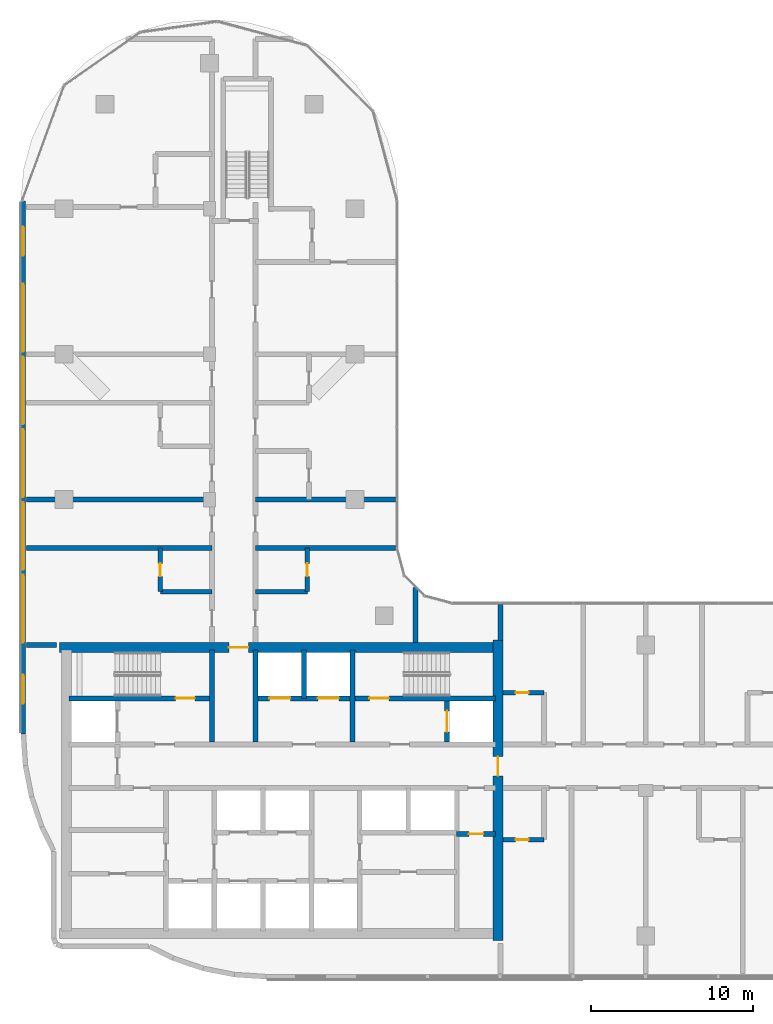
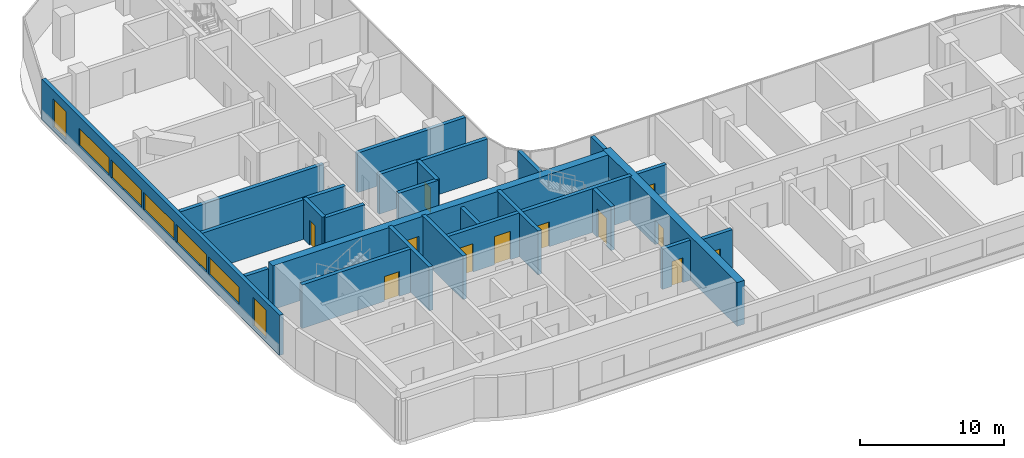
# One storey, part 11 of 23: 24 walls, 12 doors, 7 windows, 19 openings.
"""IFC4 building model written with IfcOpenShell, lengths in metres."""

from ifc_helpers import new_model, si_unit, direction, frame, frame_2d, origin, place, context, subcontext, project, spatial, rectangle, extrude, material, layer, layer_set, type_object, element, fill, save


model = new_model("IFC4")

# Units and contexts
model_context = context("Model", 3, precision=1e-05, world=origin(), true_north=direction((0.0, 1.0)))
body_context = subcontext(model_context, "Body", "Model", "MODEL_VIEW")
ifc_project = project(units=[si_unit("LENGTHUNIT", "METRE"), si_unit("AREAUNIT", "SQUARE_METRE"), si_unit("VOLUMEUNIT", "CUBIC_METRE"), si_unit("PLANEANGLEUNIT", "RADIAN"), si_unit("MASSUNIT", "GRAM", prefix="KILO")], contexts=[model_context])

# Site, building, storey
site_placement = place(None, origin())
site = spatial("IfcSite", under=ifc_project, at=site_placement, CompositionType="ELEMENT")
building_placement = place(site_placement, origin())
building = spatial("IfcBuilding", under=site, at=building_placement, Name="Ogive Portal Towers", CompositionType="ELEMENT")
storey_placement = place(building_placement, frame((0.0, 0.0, 186.60009765625)))
storey = spatial("IfcBuildingStorey", under=building, at=storey_placement, Name="L46", CompositionType="ELEMENT", Elevation=186.60009765625)

# Wall, opening, door
ifc_material_1 = material(Name="Concrete C60/75", Category="concrete")
ifc_layer_1 = layer(ifc_material_1, 0.300048828125)
ifc_layer_set_1 = layer_set([ifc_layer_1], Name="CORE WALL 300 C60")
wall_type_1 = type_object("IfcWallType", Name="CORE WALL 300 C60", PredefinedType="SHEAR", material=ifc_layer_set_1)
wall_1_placement = place(storey_placement, frame((31.800048828125, 36.199951171875, 0.0), z_axis=(0.0, 0.0, 1.0), x_axis=(1.0, 0.0, 0.0)))
wall_1 = element("IfcWall", 1, at=wall_1_placement, inside=storey, type_object=wall_type_1, Name="Core wall Y3a L46", PredefinedType="SHEAR", context=body_context, shape_type="SweptSolid", body=[
    extrude(rectangle(XDim=8.699951171875, YDim=0.300048828125, at=frame_2d((4.35009765625, 0.0))), origin(), (0.0, 0.0, 1.0), 3.699951171875),
])
opening_1_placement = place(wall_1_placement, frame((6.60009765625, 0.0, 0.0)))
opening_1 = element("IfcOpeningElement", 2, at=opening_1_placement, cuts=wall_1, Name="Opening D20-005", PredefinedType="OPENING", context=body_context, shape_type="SweptSolid", body=[
    extrude(rectangle(XDim=1.199951171875, YDim=2.10009765625, at=frame_2d((0.60009765625, 1.050048828125))), frame((0.0, 0.16015625, 0.0), z_axis=(0.0, -1.0, 0.0), x_axis=(1.0, 0.0, 0.0)), (0.0, 0.0, 1.0), 0.320068359375),
])
ifc_material_2 = material(Name="Steel fire door", Category="steel")
door_type_1 = type_object("IfcDoorType", Name="DT-SWING-1200x2100-FD90S", OperationType="SINGLE_SWING_LEFT", PredefinedType="DOOR", material=ifc_material_2)
door_1_placement = place(opening_1_placement, origin())
door_1 = element("IfcDoor", 3, at=door_1_placement, inside=storey, type_object=door_type_1, Name="Door D20-005", OperationType="SINGLE_SWING_RIGHT", OverallHeight=2.10009765625, OverallWidth=1.199951171875, PredefinedType="DOOR", context=body_context, shape_type="SweptSolid", body=[
    extrude(rectangle(XDim=1.199951171875, YDim=2.10009765625, at=frame_2d((0.60009765625, 1.050048828125))), frame((0.0, 0.02490234375, 0.0), z_axis=(0.0, -1.0, 0.0), x_axis=(1.0, 0.0, 0.0)), (0.0, 0.0, 1.0), 0.050048828125),
])
fill(opening_1, door_1)

# Wall, openings, doors
wall_2_placement = place(storey_placement, frame((43.5, 36.199951171875, 0.0), z_axis=(0.0, 0.0, 1.0), x_axis=(1.0, 0.0, 0.0)))
wall_2 = element("IfcWall", 4, at=wall_2_placement, inside=storey, type_object=wall_type_1, Name="Core wall Y3b L46", PredefinedType="SHEAR", context=body_context, shape_type="SweptSolid", body=[
    extrude(rectangle(XDim=14.699951171875, YDim=0.300048828125, at=frame_2d((7.35009765625, 0.0))), origin(), (0.0, 0.0, 1.0), 3.699951171875),
])
opening_2_placement = place(wall_2_placement, frame((6.89990234375, 0.0, 0.0)))
opening_2 = element("IfcOpeningElement", 5, at=opening_2_placement, cuts=wall_2, Name="Opening D20-006", PredefinedType="OPENING", context=body_context, shape_type="SweptSolid", body=[
    extrude(rectangle(XDim=1.199951171875, YDim=2.10009765625, at=frame_2d((0.60009765625, 1.050048828125))), frame((0.0, 0.16015625, 0.0), z_axis=(0.0, -1.0, 0.0), x_axis=(1.0, 0.0, 0.0)), (0.0, 0.0, 1.0), 0.320068359375),
])
opening_3_placement = place(wall_2_placement, frame((0.699951171875, 0.0, 0.0)))
opening_3 = element("IfcOpeningElement", 6, at=opening_3_placement, cuts=wall_2, Name="Opening D20-017", PredefinedType="OPENING", context=body_context, shape_type="SweptSolid", body=[
    extrude(rectangle(XDim=1.300048828125, YDim=2.39990234375, at=frame_2d((0.64990234375, 1.199951171875))), frame((0.0, 0.16015625, 0.0), z_axis=(0.0, -1.0, 0.0), x_axis=(1.0, 0.0, 0.0)), (0.0, 0.0, 1.0), 0.320068359375),
])
opening_4_placement = place(wall_2_placement, frame((3.699951171875, 0.0, 0.0)))
opening_4 = element("IfcOpeningElement", 7, at=opening_4_placement, cuts=wall_2, Name="Opening D20-018", PredefinedType="OPENING", context=body_context, shape_type="SweptSolid", body=[
    extrude(rectangle(XDim=1.300048828125, YDim=2.39990234375, at=frame_2d((0.64990234375, 1.199951171875))), frame((0.0, 0.16015625, 0.0), z_axis=(0.0, -1.0, 0.0), x_axis=(1.0, 0.0, 0.0)), (0.0, 0.0, 1.0), 0.320068359375),
])
ifc_material_3 = material(Name="Stainless steel", Category="steel")
door_type_2 = type_object("IfcDoorType", Name="DT-LD-1300x2400", OperationType="SLIDING_TO_LEFT", PredefinedType="DOOR", material=ifc_material_3)
door_2_placement = place(opening_3_placement, origin())
door_2 = element("IfcDoor", 8, at=door_2_placement, inside=storey, type_object=door_type_2, Name="Door D20-017", OperationType="SLIDING_TO_LEFT", OverallHeight=2.39990234375, OverallWidth=1.300048828125, PredefinedType="DOOR", context=body_context, shape_type="SweptSolid", body=[
    extrude(rectangle(XDim=1.300048828125, YDim=2.39990234375, at=frame_2d((0.64990234375, 1.199951171875))), frame((0.0, 0.02490234375, 0.0), z_axis=(0.0, -1.0, 0.0), x_axis=(1.0, 0.0, 0.0)), (0.0, 0.0, 1.0), 0.050048828125),
])
fill(opening_3, door_2)
door_3_placement = place(opening_4_placement, origin())
door_3 = element("IfcDoor", 9, at=door_3_placement, inside=storey, type_object=door_type_2, Name="Door D20-018", OperationType="SLIDING_TO_LEFT", OverallHeight=2.39990234375, OverallWidth=1.300048828125, PredefinedType="DOOR", context=body_context, shape_type="SweptSolid", body=[
    extrude(rectangle(XDim=1.300048828125, YDim=2.39990234375, at=frame_2d((0.64990234375, 1.199951171875))), frame((0.0, 0.02490234375, 0.0), z_axis=(0.0, -1.0, 0.0), x_axis=(1.0, 0.0, 0.0)), (0.0, 0.0, 1.0), 0.050048828125),
])
fill(opening_4, door_3)
door_4_placement = place(opening_2_placement, origin())
door_4 = element("IfcDoor", 10, at=door_4_placement, inside=storey, type_object=door_type_1, Name="Door D20-006", OperationType="SINGLE_SWING_LEFT", OverallHeight=2.10009765625, OverallWidth=1.199951171875, PredefinedType="DOOR", context=body_context, shape_type="SweptSolid", body=[
    extrude(rectangle(XDim=1.199951171875, YDim=2.10009765625, at=frame_2d((0.60009765625, 1.050048828125))), frame((0.0, 0.02490234375, 0.0), z_axis=(0.0, -1.0, 0.0), x_axis=(1.0, 0.0, 0.0)), (0.0, 0.0, 1.0), 0.050048828125),
])
fill(opening_2, door_4)

# Walls
for number, where, z_axis, x_axis, name in (
    (11, (40.64990234375, 33.5, 0.0), (0.0, 0.0, 1.0), (0.0, 1.0, 0.0), "Core wall X6 L46"),
    (12, (43.35009765625, 33.5, 0.0), (0.0, 0.0, 1.0), (0.0, 1.0, 0.0), "Core wall X7 L46"),
    (13, (49.35009765625, 33.5, 0.0), (0.0, 0.0, 1.0), (0.0, 1.0, 0.0), "Core wall X9 L46"),
):
    element("IfcWall", number, at=place(storey_placement, frame(where, z_axis=z_axis, x_axis=x_axis)), inside=storey, type_object=wall_type_1, Name=name, PredefinedType="SHEAR", context=body_context, shape_type="SweptSolid", body=[
        extrude(rectangle(XDim=5.699951171875, YDim=0.300048828125, at=frame_2d((2.85009765625, 0.0))), origin(), (0.0, 0.0, 1.0), 3.699951171875),
    ])

# Wall, opening, door
wall_3_placement = place(storey_placement, frame((55.199951171875, 33.5, 0.0), z_axis=(0.0, 0.0, 1.0), x_axis=(0.0, 1.0, 0.0)))
wall_3 = element("IfcWall", 14, at=wall_3_placement, inside=storey, type_object=wall_type_1, Name="Core wall X10 L46", PredefinedType="SHEAR", context=body_context, shape_type="SweptSolid", body=[
    extrude(rectangle(XDim=2.550048828125, YDim=0.300048828125, at=frame_2d((1.27490234375, 0.0))), origin(), (0.0, 0.0, 1.0), 3.699951171875),
])
opening_5_placement = place(wall_3_placement, frame((0.625, 0.0, 0.0)))
opening_5 = element("IfcOpeningElement", 15, at=opening_5_placement, cuts=wall_3, Name="Opening D20-020", PredefinedType="OPENING", context=body_context, shape_type="SweptSolid", body=[
    extrude(rectangle(XDim=1.300048828125, YDim=2.39990234375, at=frame_2d((0.64990234375, 1.199951171875))), frame((0.0, 0.16015625, 0.0), z_axis=(0.0, -1.0, 0.0), x_axis=(1.0, 0.0, 0.0)), (0.0, 0.0, 1.0), 0.320068359375),
])
door_5_placement = place(opening_5_placement, origin())
door_5 = element("IfcDoor", 16, at=door_5_placement, inside=storey, type_object=door_type_2, Name="Door D20-020", OperationType="SLIDING_TO_LEFT", OverallHeight=2.39990234375, OverallWidth=1.300048828125, PredefinedType="DOOR", context=body_context, shape_type="SweptSolid", body=[
    extrude(rectangle(XDim=1.300048828125, YDim=2.39990234375, at=frame_2d((0.64990234375, 1.199951171875))), frame((0.0, 0.02490234375, 0.0), z_axis=(0.0, -1.0, 0.0), x_axis=(1.0, 0.0, 0.0)), (0.0, 0.0, 1.0), 0.050048828125),
])
fill(opening_5, door_5)

ifc_layer_2 = layer(ifc_material_1, 0.60009765625)
ifc_layer_set_2 = layer_set([ifc_layer_2], Name="CORE WALL 600 C60")
wall_type_2 = type_object("IfcWallType", Name="CORE WALL 600 C60", PredefinedType="SHEAR", material=ifc_layer_set_2)
wall_4_placement = place(storey_placement, frame((58.35009765625, 21.199951171875, 0.0), z_axis=(0.0, 0.0, 1.0), x_axis=(0.0, 1.0, 0.0)))
wall_4 = element("IfcWall", 17, at=wall_4_placement, inside=storey, type_object=wall_type_2, Name="Core wall E L46", PredefinedType="SHEAR", context=body_context, shape_type="SweptSolid", body=[
    extrude(rectangle(XDim=18.60009765625, YDim=0.60009765625, at=frame_2d((9.300048828125, 0.0))), origin(), (0.0, 0.0, 1.0), 3.699951171875),
])
opening_6_placement = place(wall_4_placement, frame((10.199951171875, 0.0, 0.0)))
opening_6 = element("IfcOpeningElement", 18, at=opening_6_placement, cuts=wall_4, Name="Opening D20-011", PredefinedType="OPENING", context=body_context, shape_type="SweptSolid", body=[
    extrude(rectangle(XDim=1.199951171875, YDim=2.10009765625, at=frame_2d((0.60009765625, 1.050048828125))), frame((0.0, 0.31005859375, 0.0), z_axis=(0.0, -1.0, 0.0), x_axis=(1.0, 0.0, 0.0)), (0.0, 0.0, 1.0), 0.6201171875),
])
door_6_placement = place(opening_6_placement, origin())
door_6 = element("IfcDoor", 19, at=door_6_placement, inside=storey, type_object=door_type_1, Name="Door D20-011", OperationType="SINGLE_SWING_LEFT", OverallHeight=2.10009765625, OverallWidth=1.199951171875, PredefinedType="DOOR", context=body_context, shape_type="SweptSolid", body=[
    extrude(rectangle(XDim=1.199951171875, YDim=2.10009765625, at=frame_2d((0.60009765625, 1.050048828125))), frame((0.0, 0.02490234375, 0.0), z_axis=(0.0, -1.0, 0.0), x_axis=(1.0, 0.0, 0.0)), (0.0, 0.0, 1.0), 0.050048828125),
])
fill(opening_6, door_6)

wall_5_placement = place(storey_placement, frame((31.199951171875, 39.35009765625, 0.0), z_axis=(0.0, 0.0, 1.0), x_axis=(1.0, 0.0, 0.0)))
wall_5 = element("IfcWall", 20, at=wall_5_placement, inside=storey, type_object=wall_type_2, Name="Core wall N L46", PredefinedType="SHEAR", context=body_context, shape_type="SweptSolid", body=[
    extrude(rectangle(XDim=27.0, YDim=0.60009765625, at=frame_2d((13.5, 0.0))), origin(), (0.0, 0.0, 1.0), 3.699951171875),
])
opening_7_placement = place(wall_5_placement, frame((10.5, 0.0, 0.0)))
opening_7 = element("IfcOpeningElement", 21, at=opening_7_placement, cuts=wall_5, Name="Opening D20-012", PredefinedType="OPENING", context=body_context, shape_type="SweptSolid", body=[
    extrude(rectangle(XDim=1.199951171875, YDim=2.10009765625, at=frame_2d((0.60009765625, 1.050048828125))), frame((0.0, 0.31005859375, 0.0), z_axis=(0.0, -1.0, 0.0), x_axis=(1.0, 0.0, 0.0)), (0.0, 0.0, 1.0), 0.6201171875),
])
door_7_placement = place(opening_7_placement, origin())
door_7 = element("IfcDoor", 22, at=door_7_placement, inside=storey, type_object=door_type_1, Name="Door D20-012", OperationType="SINGLE_SWING_RIGHT", OverallHeight=2.10009765625, OverallWidth=1.199951171875, PredefinedType="DOOR", context=body_context, shape_type="SweptSolid", body=[
    extrude(rectangle(XDim=1.199951171875, YDim=2.10009765625, at=frame_2d((0.60009765625, 1.050048828125))), frame((0.0, 0.02490234375, 0.0), z_axis=(0.0, -1.0, 0.0), x_axis=(1.0, 0.0, 0.0)), (0.0, 0.0, 1.0), 0.050048828125),
])
fill(opening_7, door_7)

# Wall, openings, windows
ifc_material_4 = material(Name="Limestone cladding on lightweight block wall", Category="masonry")
ifc_layer_3 = layer(ifc_material_4, 0.300048828125)
ifc_layer_set_3 = layer_set([ifc_layer_3], Name="EXTERNAL WALL 300 STONE")
wall_type_3 = type_object("IfcWallType", Name="EXTERNAL WALL 300 STONE", PredefinedType="SOLIDWALL", material=ifc_layer_set_3)
wall_6_placement = place(storey_placement, frame((28.969970703125, 66.98583984375, 0.0), z_axis=(0.0, 0.0, 1.0), x_axis=(0.0, -1.0, 0.0)))
wall_6 = element("IfcWall", 23, at=wall_6_placement, inside=storey, type_object=wall_type_3, Name="A:L46:f27:r0:wall", PredefinedType="SOLIDWALL", context=body_context, shape_type="SweptSolid", body=[
    extrude(rectangle(XDim=32.97607421875, YDim=0.300048828125, at=frame_2d((16.488037109375, 0.0))), origin(), (0.0, 0.0, 1.0), 3.39990234375),
])
opening_8_placement = place(wall_6_placement, frame((1.593017578125, 0.0, 0.300048828125)))
opening_8 = element("IfcOpeningElement", 24, at=opening_8_placement, cuts=wall_6, Name="Opening WN10", PredefinedType="OPENING", context=body_context, shape_type="SweptSolid", body=[
    extrude(rectangle(XDim=1.800048828125, YDim=2.39990234375, at=frame_2d((0.89990234375, 1.199951171875))), frame((0.0, 0.16015625, 0.0), z_axis=(0.0, -1.0, 0.0), x_axis=(1.0, 0.0, 0.0)), (0.0, 0.0, 1.0), 0.320068359375),
])
opening_9_placement = place(wall_6_placement, frame((5.135986328125, 0.0, 0.89990234375)))
opening_9 = element("IfcOpeningElement", 25, at=opening_9_placement, cuts=wall_6, Name="Opening WN11", PredefinedType="OPENING", context=body_context, shape_type="SweptSolid", body=[
    extrude(rectangle(XDim=4.199951171875, YDim=1.5, at=frame_2d((2.10009765625, 0.75))), frame((0.0, 0.16015625, 0.0), z_axis=(0.0, -1.0, 0.0), x_axis=(1.0, 0.0, 0.0)), (0.0, 0.0, 1.0), 0.320068359375),
])
opening_10_placement = place(wall_6_placement, frame((9.635986328125, 0.0, 0.89990234375)))
opening_10 = element("IfcOpeningElement", 26, at=opening_10_placement, cuts=wall_6, Name="Opening WN11", PredefinedType="OPENING", context=body_context, shape_type="SweptSolid", body=[
    extrude(rectangle(XDim=4.199951171875, YDim=1.5, at=frame_2d((2.10009765625, 0.75))), frame((0.0, 0.16015625, 0.0), z_axis=(0.0, -1.0, 0.0), x_axis=(1.0, 0.0, 0.0)), (0.0, 0.0, 1.0), 0.320068359375),
])
opening_11_placement = place(wall_6_placement, frame((14.135986328125, 0.0, 0.89990234375)))
opening_11 = element("IfcOpeningElement", 27, at=opening_11_placement, cuts=wall_6, Name="Opening WN11", PredefinedType="OPENING", context=body_context, shape_type="SweptSolid", body=[
    extrude(rectangle(XDim=4.199951171875, YDim=1.5, at=frame_2d((2.10009765625, 0.75))), frame((0.0, 0.16015625, 0.0), z_axis=(0.0, -1.0, 0.0), x_axis=(1.0, 0.0, 0.0)), (0.0, 0.0, 1.0), 0.320068359375),
])
opening_12_placement = place(wall_6_placement, frame((18.635986328125, 0.0, 0.89990234375)))
opening_12 = element("IfcOpeningElement", 28, at=opening_12_placement, cuts=wall_6, Name="Opening WN11", PredefinedType="OPENING", context=body_context, shape_type="SweptSolid", body=[
    extrude(rectangle(XDim=4.199951171875, YDim=1.5, at=frame_2d((2.10009765625, 0.75))), frame((0.0, 0.16015625, 0.0), z_axis=(0.0, -1.0, 0.0), x_axis=(1.0, 0.0, 0.0)), (0.0, 0.0, 1.0), 0.320068359375),
])
opening_13_placement = place(wall_6_placement, frame((23.135986328125, 0.0, 0.89990234375)))
opening_13 = element("IfcOpeningElement", 29, at=opening_13_placement, cuts=wall_6, Name="Opening WN11", PredefinedType="OPENING", context=body_context, shape_type="SweptSolid", body=[
    extrude(rectangle(XDim=4.199951171875, YDim=1.5, at=frame_2d((2.10009765625, 0.75))), frame((0.0, 0.16015625, 0.0), z_axis=(0.0, -1.0, 0.0), x_axis=(1.0, 0.0, 0.0)), (0.0, 0.0, 1.0), 0.320068359375),
])
opening_14_placement = place(wall_6_placement, frame((29.3310546875, 0.0, 0.300048828125)))
opening_14 = element("IfcOpeningElement", 30, at=opening_14_placement, cuts=wall_6, Name="Opening WN10", PredefinedType="OPENING", context=body_context, shape_type="SweptSolid", body=[
    extrude(rectangle(XDim=1.800048828125, YDim=2.39990234375, at=frame_2d((0.89990234375, 1.199951171875))), frame((0.0, 0.16015625, 0.0), z_axis=(0.0, -1.0, 0.0), x_axis=(1.0, 0.0, 0.0)), (0.0, 0.0, 1.0), 0.320068359375),
])
ifc_material_5 = material(Name="Glass, clear low-iron insulated glazing", Category="glass")
window_type_1 = type_object("IfcWindowType", Name="WINDOW RIBBON 4200x1500", PartitioningType="TRIPLE_PANEL_VERTICAL", PredefinedType="WINDOW", material=ifc_material_5)
window_1_placement = place(opening_9_placement, origin())
window_1 = element("IfcWindow", 31, at=window_1_placement, inside=storey, type_object=window_type_1, Name="A:L46:f27:r0:w1", OverallHeight=1.5, OverallWidth=4.199951171875, PartitioningType="SINGLE_PANEL", PredefinedType="WINDOW", context=body_context, shape_type="SweptSolid", body=[
    extrude(rectangle(XDim=4.199951171875, YDim=1.5, at=frame_2d((2.10009765625, 0.75))), frame((0.0, 0.030029296875, 0.0), z_axis=(0.0, -1.0, 0.0), x_axis=(1.0, 0.0, 0.0)), (0.0, 0.0, 1.0), 0.06005859375),
])
fill(opening_9, window_1)
window_2_placement = place(opening_10_placement, origin())
window_2 = element("IfcWindow", 32, at=window_2_placement, inside=storey, type_object=window_type_1, Name="A:L46:f27:r0:w2", OverallHeight=1.5, OverallWidth=4.199951171875, PartitioningType="SINGLE_PANEL", PredefinedType="WINDOW", context=body_context, shape_type="SweptSolid", body=[
    extrude(rectangle(XDim=4.199951171875, YDim=1.5, at=frame_2d((2.10009765625, 0.75))), frame((0.0, 0.030029296875, 0.0), z_axis=(0.0, -1.0, 0.0), x_axis=(1.0, 0.0, 0.0)), (0.0, 0.0, 1.0), 0.06005859375),
])
fill(opening_10, window_2)
window_3_placement = place(opening_11_placement, origin())
window_3 = element("IfcWindow", 33, at=window_3_placement, inside=storey, type_object=window_type_1, Name="A:L46:f27:r0:w3", OverallHeight=1.5, OverallWidth=4.199951171875, PartitioningType="SINGLE_PANEL", PredefinedType="WINDOW", context=body_context, shape_type="SweptSolid", body=[
    extrude(rectangle(XDim=4.199951171875, YDim=1.5, at=frame_2d((2.10009765625, 0.75))), frame((0.0, 0.030029296875, 0.0), z_axis=(0.0, -1.0, 0.0), x_axis=(1.0, 0.0, 0.0)), (0.0, 0.0, 1.0), 0.06005859375),
])
fill(opening_11, window_3)
window_4_placement = place(opening_12_placement, origin())
window_4 = element("IfcWindow", 34, at=window_4_placement, inside=storey, type_object=window_type_1, Name="A:L46:f27:r0:w4", OverallHeight=1.5, OverallWidth=4.199951171875, PartitioningType="SINGLE_PANEL", PredefinedType="WINDOW", context=body_context, shape_type="SweptSolid", body=[
    extrude(rectangle(XDim=4.199951171875, YDim=1.5, at=frame_2d((2.10009765625, 0.75))), frame((0.0, 0.030029296875, 0.0), z_axis=(0.0, -1.0, 0.0), x_axis=(1.0, 0.0, 0.0)), (0.0, 0.0, 1.0), 0.06005859375),
])
fill(opening_12, window_4)
window_5_placement = place(opening_13_placement, origin())
window_5 = element("IfcWindow", 35, at=window_5_placement, inside=storey, type_object=window_type_1, Name="A:L46:f27:r0:w5", OverallHeight=1.5, OverallWidth=4.199951171875, PartitioningType="SINGLE_PANEL", PredefinedType="WINDOW", context=body_context, shape_type="SweptSolid", body=[
    extrude(rectangle(XDim=4.199951171875, YDim=1.5, at=frame_2d((2.10009765625, 0.75))), frame((0.0, 0.030029296875, 0.0), z_axis=(0.0, -1.0, 0.0), x_axis=(1.0, 0.0, 0.0)), (0.0, 0.0, 1.0), 0.06005859375),
])
fill(opening_13, window_5)
window_type_2 = type_object("IfcWindowType", Name="WINDOW SUITE CORNER 1800x2400", PartitioningType="DOUBLE_PANEL_VERTICAL", PredefinedType="WINDOW", material=ifc_material_5)
window_6_placement = place(opening_8_placement, origin())
window_6 = element("IfcWindow", 36, at=window_6_placement, inside=storey, type_object=window_type_2, Name="A:L46:f27:r0:w0", OverallHeight=2.39990234375, OverallWidth=1.800048828125, PartitioningType="SINGLE_PANEL", PredefinedType="WINDOW", context=body_context, shape_type="SweptSolid", body=[
    extrude(rectangle(XDim=1.800048828125, YDim=2.39990234375, at=frame_2d((0.89990234375, 1.199951171875))), frame((0.0, 0.030029296875, 0.0), z_axis=(0.0, -1.0, 0.0), x_axis=(1.0, 0.0, 0.0)), (0.0, 0.0, 1.0), 0.06005859375),
])
fill(opening_8, window_6)
window_7_placement = place(opening_14_placement, origin())
window_7 = element("IfcWindow", 37, at=window_7_placement, inside=storey, type_object=window_type_2, Name="A:L46:f27:r0:w6", OverallHeight=2.39990234375, OverallWidth=1.800048828125, PartitioningType="SINGLE_PANEL", PredefinedType="WINDOW", context=body_context, shape_type="SweptSolid", body=[
    extrude(rectangle(XDim=1.800048828125, YDim=2.39990234375, at=frame_2d((0.89990234375, 1.199951171875))), frame((0.0, 0.030029296875, 0.0), z_axis=(0.0, -1.0, 0.0), x_axis=(1.0, 0.0, 0.0)), (0.0, 0.0, 1.0), 0.06005859375),
])
fill(opening_14, window_7)

# Wall, opening, door
ifc_material_6 = material(Name="Gypsum board partition on steel studs", Category="steel")
ifc_layer_4 = layer(ifc_material_6, 0.300048828125)
ifc_layer_set_4 = layer_set([ifc_layer_4], Name="WT-PART-300")
wall_type_4 = type_object("IfcWallType", Name="WT-PART-300", PredefinedType="PARTITIONING", material=ifc_layer_set_4)
wall_7_placement = place(storey_placement, frame((55.800048828125, 27.800048828125, 0.0), z_axis=(0.0, 0.0, 1.0), x_axis=(1.0, 0.0, 0.0)))
wall_7 = element("IfcWall", 38, at=wall_7_placement, inside=storey, type_object=wall_type_4, Name="Wall pw:004:L46", PredefinedType="PARTITIONING", context=body_context, shape_type="SweptSolid", body=[
    extrude(rectangle(XDim=2.39990234375, YDim=0.300048828125, at=frame_2d((1.199951171875, 0.0))), origin(), (0.0, 0.0, 1.0), 3.39990234375),
])
opening_15_placement = place(wall_7_placement, frame((0.75, 0.0, 0.0)))
opening_15 = element("IfcOpeningElement", 39, at=opening_15_placement, cuts=wall_7, Name="Opening D20-010", PredefinedType="OPENING", context=body_context, shape_type="SweptSolid", body=[
    extrude(rectangle(XDim=0.89990234375, YDim=2.10009765625, at=frame_2d((0.449951171875, 1.050048828125))), frame((0.0, 0.16015625, 0.0), z_axis=(0.0, -1.0, 0.0), x_axis=(1.0, 0.0, 0.0)), (0.0, 0.0, 1.0), 0.320068359375),
])
door_type_3 = type_object("IfcDoorType", Name="DT-SWING-900x2100-FD60S", OperationType="SINGLE_SWING_LEFT", PredefinedType="DOOR", material=ifc_material_2)
door_8_placement = place(opening_15_placement, origin())
door_8 = element("IfcDoor", 40, at=door_8_placement, inside=storey, type_object=door_type_3, Name="Door D20-010", OperationType="SINGLE_SWING_RIGHT", OverallHeight=2.10009765625, OverallWidth=0.89990234375, PredefinedType="DOOR", context=body_context, shape_type="SweptSolid", body=[
    extrude(rectangle(XDim=0.89990234375, YDim=2.10009765625, at=frame_2d((0.449951171875, 1.050048828125))), frame((0.0, 0.02490234375, 0.0), z_axis=(0.0, -1.0, 0.0), x_axis=(1.0, 0.0, 0.0)), (0.0, 0.0, 1.0), 0.050048828125),
])
fill(opening_15, door_8)

ifc_layer_5 = layer(ifc_material_6, 0.300048828125)
ifc_layer_set_5 = layer_set([ifc_layer_5], Name="WT-PART-300-EI 60")
wall_type_5 = type_object("IfcWallType", Name="WT-PART-300-EI 60", PredefinedType="PARTITIONING", material=ifc_layer_set_5)
wall_8_placement = place(storey_placement, frame((58.64990234375, 27.449951171875, 0.0), z_axis=(0.0, 0.0, 1.0), x_axis=(1.0, 0.0, 0.0)))
wall_8 = element("IfcWall", 41, at=wall_8_placement, inside=storey, type_object=wall_type_5, Name="Wall L46:w003", PredefinedType="PARTITIONING", context=body_context, shape_type="SweptSolid", body=[
    extrude(rectangle(XDim=2.550048828125, YDim=0.300048828125, at=frame_2d((1.27490234375, 0.0))), origin(), (0.0, 0.0, 1.0), 3.39990234375),
])
opening_16_placement = place(wall_8_placement, frame((0.800048828125, 0.0, 0.0)))
opening_16 = element("IfcOpeningElement", 42, at=opening_16_placement, cuts=wall_8, Name="Opening D20-030", PredefinedType="OPENING", context=body_context, shape_type="SweptSolid", body=[
    extrude(rectangle(XDim=0.800048828125, YDim=2.10009765625, at=frame_2d((0.39990234375, 1.050048828125))), frame((0.0, 0.16015625, 0.0), z_axis=(0.0, -1.0, 0.0), x_axis=(1.0, 0.0, 0.0)), (0.0, 0.0, 1.0), 0.320068359375),
])
door_type_4 = type_object("IfcDoorType", Name="DT-BATH-800x2100-FD60S", OperationType="SINGLE_SWING_LEFT", PredefinedType="DOOR", material=ifc_material_2)
door_9_placement = place(opening_16_placement, origin())
door_9 = element("IfcDoor", 43, at=door_9_placement, inside=storey, type_object=door_type_4, Name="Door D20-030", OperationType="SINGLE_SWING_LEFT", OverallHeight=2.10009765625, OverallWidth=0.800048828125, PredefinedType="DOOR", context=body_context, shape_type="SweptSolid", body=[
    extrude(rectangle(XDim=0.800048828125, YDim=2.10009765625, at=frame_2d((0.39990234375, 1.050048828125))), frame((0.0, 0.02490234375, 0.0), z_axis=(0.0, -1.0, 0.0), x_axis=(1.0, 0.0, 0.0)), (0.0, 0.0, 1.0), 0.050048828125),
])
fill(opening_16, door_9)

wall_9_placement = place(storey_placement, frame((58.64990234375, 36.550048828125, 0.0), z_axis=(0.0, 0.0, 1.0), x_axis=(1.0, 0.0, 0.0)))
wall_9 = element("IfcWall", 44, at=wall_9_placement, inside=storey, type_object=wall_type_5, Name="Wall L46:w009", PredefinedType="PARTITIONING", context=body_context, shape_type="SweptSolid", body=[
    extrude(rectangle(XDim=2.550048828125, YDim=0.300048828125, at=frame_2d((1.27490234375, 0.0))), origin(), (0.0, 0.0, 1.0), 3.39990234375),
])
opening_17_placement = place(wall_9_placement, frame((0.800048828125, 0.0, 0.0)))
opening_17 = element("IfcOpeningElement", 45, at=opening_17_placement, cuts=wall_9, Name="Opening D20-027", PredefinedType="OPENING", context=body_context, shape_type="SweptSolid", body=[
    extrude(rectangle(XDim=0.800048828125, YDim=2.10009765625, at=frame_2d((0.39990234375, 1.050048828125))), frame((0.0, 0.16015625, 0.0), z_axis=(0.0, -1.0, 0.0), x_axis=(1.0, 0.0, 0.0)), (0.0, 0.0, 1.0), 0.320068359375),
])
door_10_placement = place(opening_17_placement, origin())
door_10 = element("IfcDoor", 46, at=door_10_placement, inside=storey, type_object=door_type_4, Name="Door D20-027", OperationType="SINGLE_SWING_LEFT", OverallHeight=2.10009765625, OverallWidth=0.800048828125, PredefinedType="DOOR", context=body_context, shape_type="SweptSolid", body=[
    extrude(rectangle(XDim=0.800048828125, YDim=2.10009765625, at=frame_2d((0.39990234375, 1.050048828125))), frame((0.0, 0.02490234375, 0.0), z_axis=(0.0, -1.0, 0.0), x_axis=(1.0, 0.0, 0.0)), (0.0, 0.0, 1.0), 0.050048828125),
])
fill(opening_17, door_10)

# Walls
wall_10_placement = place(storey_placement, frame((29.169921875, 39.5, 0.0), z_axis=(0.0, 0.0, 1.0), x_axis=(1.0, 0.0, 0.0)))
element("IfcWall", 47, at=wall_10_placement, inside=storey, type_object=wall_type_5, Name="Wall L46:w012", PredefinedType="PARTITIONING", context=body_context, shape_type="SweptSolid", body=[
    extrude(rectangle(XDim=1.860107421875, YDim=0.300048828125, at=frame_2d((0.93017578125, 0.0))), origin(), (0.0, 0.0, 1.0), 3.349853515625),
])
for number, where, z_axis, x_axis, name in (
    (48, (37.449951171875, 42.800048828125, 0.0), (0.0, 0.0, 1.0), (1.0, 0.0, 0.0), "Wall L46:w014"),
    (49, (43.35009765625, 42.800048828125, 0.0), (0.0, 0.0, 1.0), (1.0, 0.0, 0.0), "Wall L46:w015"),
):
    element("IfcWall", number, at=place(storey_placement, frame(where, z_axis=z_axis, x_axis=x_axis)), inside=storey, type_object=wall_type_5, Name=name, PredefinedType="PARTITIONING", context=body_context, shape_type="SweptSolid", body=[
        extrude(rectangle(XDim=3.199951171875, YDim=0.300048828125, at=frame_2d((1.60009765625, 0.0))), origin(), (0.0, 0.0, 1.0), 3.39990234375),
    ])
wall_11_placement = place(storey_placement, frame((29.169921875, 45.5, 0.0), z_axis=(0.0, 0.0, 1.0), x_axis=(1.0, 0.0, 0.0)))
element("IfcWall", 50, at=wall_11_placement, inside=storey, type_object=wall_type_5, Name="Wall L46:w016", PredefinedType="PARTITIONING", context=body_context, shape_type="SweptSolid", body=[
    extrude(rectangle(XDim=11.47998046875, YDim=0.300048828125, at=frame_2d((5.739990234375, 0.0))), origin(), (0.0, 0.0, 1.0), 3.349853515625),
])
wall_12_placement = place(storey_placement, frame((43.35009765625, 45.5, 0.0), z_axis=(0.0, 0.0, 1.0), x_axis=(1.0, 0.0, 0.0)))
element("IfcWall", 51, at=wall_12_placement, inside=storey, type_object=wall_type_5, Name="Wall L46:w017", PredefinedType="PARTITIONING", context=body_context, shape_type="SweptSolid", body=[
    extrude(rectangle(XDim=8.659912109375, YDim=0.300048828125, at=frame_2d((4.330078125, 0.0))), origin(), (0.0, 0.0, 1.0), 3.349853515625),
])
wall_13_placement = place(storey_placement, frame((29.169921875, 48.5, 0.0), z_axis=(0.0, 0.0, 1.0), x_axis=(1.0, 0.0, 0.0)))
element("IfcWall", 52, at=wall_13_placement, inside=storey, type_object=wall_type_5, Name="Wall L46:w018", PredefinedType="PARTITIONING", context=body_context, shape_type="SweptSolid", body=[
    extrude(rectangle(XDim=11.47998046875, YDim=0.300048828125, at=frame_2d((5.739990234375, 0.0))), origin(), (0.0, 0.0, 1.0), 3.349853515625),
])
wall_14_placement = place(storey_placement, frame((43.35009765625, 48.5, 0.0), z_axis=(0.0, 0.0, 1.0), x_axis=(1.0, 0.0, 0.0)))
element("IfcWall", 53, at=wall_14_placement, inside=storey, type_object=wall_type_5, Name="Wall L46:w019", PredefinedType="PARTITIONING", context=body_context, shape_type="SweptSolid", body=[
    extrude(rectangle(XDim=8.659912109375, YDim=0.300048828125, at=frame_2d((4.330078125, 0.0))), origin(), (0.0, 0.0, 1.0), 3.349853515625),
])

# Wall, opening, door
wall_15_placement = place(storey_placement, frame((37.449951171875, 42.800048828125, 0.0), z_axis=(0.0, 0.0, 1.0), x_axis=(0.0, 1.0, 0.0)))
wall_15 = element("IfcWall", 54, at=wall_15_placement, inside=storey, type_object=wall_type_5, Name="Wall L46:w035", PredefinedType="PARTITIONING", context=body_context, shape_type="SweptSolid", body=[
    extrude(rectangle(XDim=2.699951171875, YDim=0.300048828125, at=frame_2d((1.35009765625, 0.0))), origin(), (0.0, 0.0, 1.0), 3.39990234375),
])
opening_18_placement = place(wall_15_placement, frame((0.949951171875, 0.0, 0.0)))
opening_18 = element("IfcOpeningElement", 55, at=opening_18_placement, cuts=wall_15, Name="Opening D20-046", PredefinedType="OPENING", context=body_context, shape_type="SweptSolid", body=[
    extrude(rectangle(XDim=0.800048828125, YDim=2.10009765625, at=frame_2d((0.39990234375, 1.050048828125))), frame((0.0, 0.16015625, 0.0), z_axis=(0.0, -1.0, 0.0), x_axis=(1.0, 0.0, 0.0)), (0.0, 0.0, 1.0), 0.320068359375),
])
door_11_placement = place(opening_18_placement, origin())
door_11 = element("IfcDoor", 56, at=door_11_placement, inside=storey, type_object=door_type_4, Name="Door D20-046", OperationType="SINGLE_SWING_RIGHT", OverallHeight=2.10009765625, OverallWidth=0.800048828125, PredefinedType="DOOR", context=body_context, shape_type="SweptSolid", body=[
    extrude(rectangle(XDim=0.800048828125, YDim=2.10009765625, at=frame_2d((0.39990234375, 1.050048828125))), frame((0.0, 0.02490234375, 0.0), z_axis=(0.0, -1.0, 0.0), x_axis=(1.0, 0.0, 0.0)), (0.0, 0.0, 1.0), 0.050048828125),
])
fill(opening_18, door_11)

wall_16_placement = place(storey_placement, frame((46.550048828125, 42.800048828125, 0.0), z_axis=(0.0, 0.0, 1.0), x_axis=(0.0, 1.0, 0.0)))
wall_16 = element("IfcWall", 57, at=wall_16_placement, inside=storey, type_object=wall_type_5, Name="Wall L46:w042", PredefinedType="PARTITIONING", context=body_context, shape_type="SweptSolid", body=[
    extrude(rectangle(XDim=2.699951171875, YDim=0.300048828125, at=frame_2d((1.35009765625, 0.0))), origin(), (0.0, 0.0, 1.0), 3.39990234375),
])
opening_19_placement = place(wall_16_placement, frame((0.949951171875, 0.0, 0.0)))
opening_19 = element("IfcOpeningElement", 58, at=opening_19_placement, cuts=wall_16, Name="Opening D20-043", PredefinedType="OPENING", context=body_context, shape_type="SweptSolid", body=[
    extrude(rectangle(XDim=0.800048828125, YDim=2.10009765625, at=frame_2d((0.39990234375, 1.050048828125))), frame((0.0, 0.16015625, 0.0), z_axis=(0.0, -1.0, 0.0), x_axis=(1.0, 0.0, 0.0)), (0.0, 0.0, 1.0), 0.320068359375),
])
door_12_placement = place(opening_19_placement, origin())
door_12 = element("IfcDoor", 59, at=door_12_placement, inside=storey, type_object=door_type_4, Name="Door D20-043", OperationType="SINGLE_SWING_RIGHT", OverallHeight=2.10009765625, OverallWidth=0.800048828125, PredefinedType="DOOR", context=body_context, shape_type="SweptSolid", body=[
    extrude(rectangle(XDim=0.800048828125, YDim=2.10009765625, at=frame_2d((0.39990234375, 1.050048828125))), frame((0.0, 0.02490234375, 0.0), z_axis=(0.0, -1.0, 0.0), x_axis=(1.0, 0.0, 0.0)), (0.0, 0.0, 1.0), 0.050048828125),
])
fill(opening_19, door_12)

# Walls
wall_17_placement = place(storey_placement, frame((53.25, 39.64990234375, 0.0), z_axis=(0.0, 0.0, 1.0), x_axis=(0.0, 1.0, 0.0)))
element("IfcWall", 60, at=wall_17_placement, inside=storey, type_object=wall_type_5, Name="Wall L46:w046", PredefinedType="PARTITIONING", context=body_context, shape_type="SweptSolid", body=[
    extrude(rectangle(XDim=3.4130859375, YDim=0.300048828125, at=frame_2d((1.70654296875, 0.0))), origin(), (0.0, 0.0, 1.0), 3.349853515625),
])
wall_18_placement = place(storey_placement, frame((58.5, 39.7900390625, 0.0), z_axis=(0.0, 0.0, 1.0), x_axis=(0.0, 1.0, 0.0)))
element("IfcWall", 61, at=wall_18_placement, inside=storey, type_object=wall_type_5, Name="Wall L46:w048", PredefinedType="PARTITIONING", context=body_context, shape_type="SweptSolid", body=[
    extrude(rectangle(XDim=2.219970703125, YDim=0.300048828125, at=frame_2d((1.10986328125, 0.0))), origin(), (0.0, 0.0, 1.0), 3.349853515625),
])
ifc_material_7 = material(Name="Concrete C40/50", Category="concrete")
ifc_layer_6 = layer(ifc_material_7, 0.300048828125)
ifc_layer_set_6 = layer_set([ifc_layer_6], Name="WT-SHAFT-300")
wall_type_6 = type_object("IfcWallType", Name="WT-SHAFT-300", PredefinedType="SOLIDWALL", material=ifc_layer_set_6)
wall_19_placement = place(storey_placement, frame((46.35009765625, 36.199951171875, 0.0), z_axis=(0.0, 0.0, 1.0), x_axis=(0.0, 1.0, 0.0)))
element("IfcWall", 62, at=wall_19_placement, inside=storey, type_object=wall_type_6, Name="Wall pw:011:L46", PredefinedType="SOLIDWALL", context=body_context, shape_type="SweptSolid", body=[
    extrude(rectangle(XDim=3.0, YDim=0.300048828125, at=frame_2d((1.5, 0.0))), origin(), (0.0, 0.0, 1.0), 3.39990234375),
])

save(model, "model.ifc")
